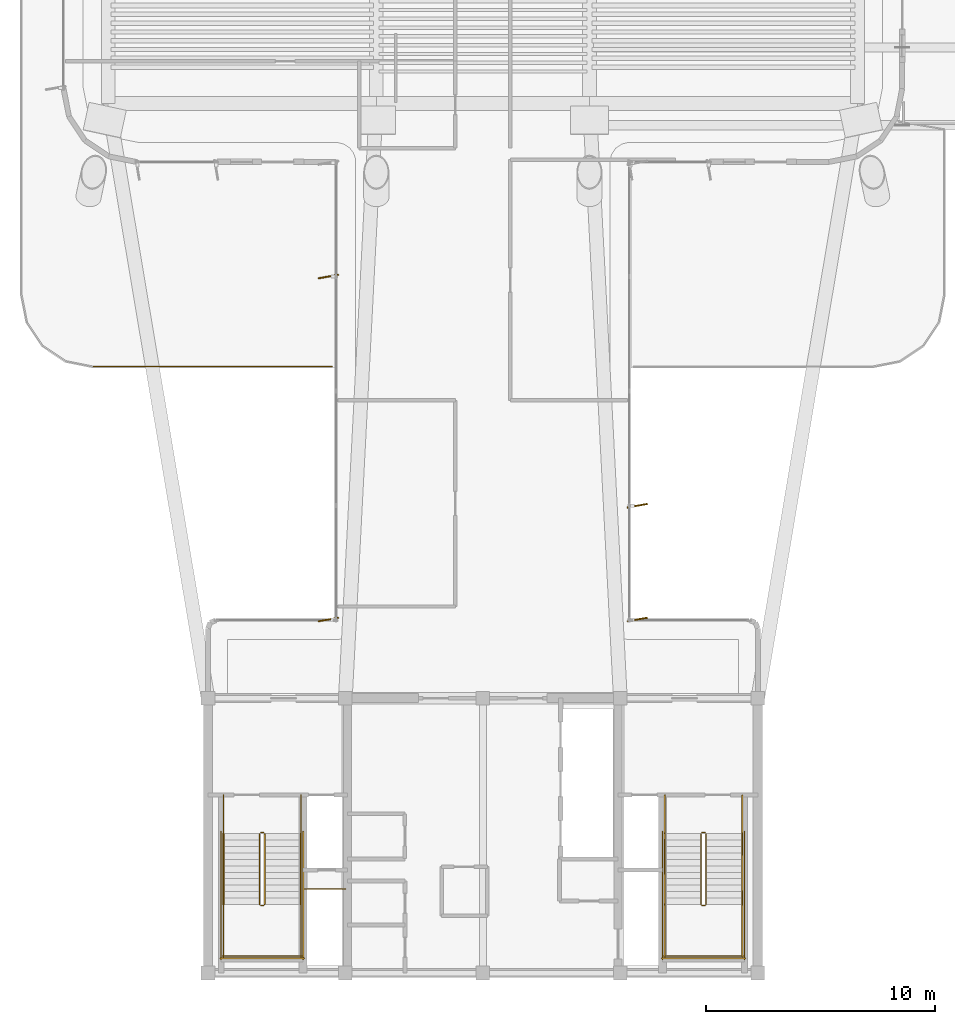
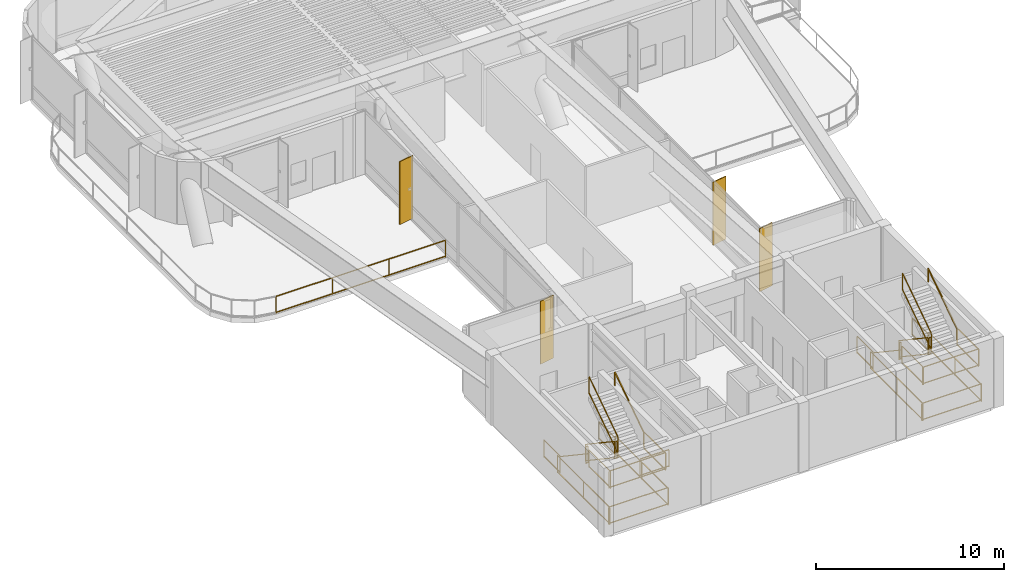
# One storey, part 15 of 16: 30 railings, 4 shading devices.
"""IFC4 building model written with IfcOpenShell, lengths in metres."""

from ifc_helpers import new_model, si_unit, direction, frame, origin, origin_2d, place, context, subcontext, project, spatial, rectangle, extrude, source, transform, mapped, material, layer, layer_set, material_profile, profile_set, type_object, element, save


model = new_model("IFC4")

# Units and contexts
model_context = context("Model", 3, precision=1e-05, world=origin(), true_north=direction((0.0, 1.0)))
body_context = subcontext(model_context, "Body", "Model", "MODEL_VIEW")
ifc_project = project(units=[si_unit("LENGTHUNIT", "METRE"), si_unit("AREAUNIT", "SQUARE_METRE"), si_unit("VOLUMEUNIT", "CUBIC_METRE"), si_unit("PLANEANGLEUNIT", "RADIAN"), si_unit("MASSUNIT", "GRAM", prefix="KILO")], contexts=[model_context])

# Site, building, storey
site_placement = place(None, origin())
site = spatial("IfcSite", under=ifc_project, at=site_placement, CompositionType="ELEMENT")
building_placement = place(site_placement, origin())
building = spatial("IfcBuilding", under=site, at=building_placement, Name="Brelvock Crest Care Tower", CompositionType="ELEMENT")
storey_placement = place(building_placement, frame((0.0, 0.0, 218.52001953125)))
storey = spatial("IfcBuildingStorey", under=building, at=storey_placement, Name="L55", CompositionType="ELEMENT", Elevation=218.52001953125)

# Railings
ifc_material_1 = material(Name="Dark Glass Double Glazed Low-E", Category="glass")
ifc_layer_1 = layer(ifc_material_1, 0.06005859375, Name="RL-BAL1")
ifc_layer_set_1 = layer_set([ifc_layer_1], Name="Dark Glass Double Glazed Low-E")
railing_type_1 = type_object("IfcRailingType", Name="RL-BAL1", PredefinedType="BALUSTRADE", material=ifc_layer_set_1)
railing_1_placement = place(storey_placement, frame((29.419921875, 32.469970703125, 0.00390625)))
element("IfcRailing", 1, at=railing_1_placement, inside=storey, type_object=railing_type_1, Name="L55 Safety Balustrade SLB-TERR-L55-2-2", PredefinedType="BALUSTRADE", context=body_context, shape_type="SweptSolid", body=[
    extrude(rectangle(XDim=0.048095703125, YDim=0.048095703125, at=origin_2d()), frame((-0.001953125, 0.0, 1.09619140625), z_axis=(-1.0, 0.0, 0.0), x_axis=(0.0, -1.0, 0.0)), (0.0, 0.0, 1.0), 10.4091796875),
    extrude(rectangle(XDim=0.048095703125, YDim=0.048095703125, at=origin_2d()), frame((-0.001953125, 0.0, 0.054931640625), z_axis=(-1.0, 0.0, 0.0), x_axis=(0.0, -1.0, 0.0)), (0.0, 0.0, 1.0), 10.4091796875),
    extrude(rectangle(XDim=0.0419921875, YDim=0.0419921875, at=origin_2d()), origin(), (0.0, 0.0, 1.0), 1.070068359375),
    extrude(rectangle(XDim=0.0419921875, YDim=0.0419921875, at=origin_2d()), frame((-3.470947265625, 0.0, 0.0)), (0.0, 0.0, 1.0), 1.070068359375),
    extrude(rectangle(XDim=0.0419921875, YDim=0.0419921875, at=origin_2d()), frame((-6.942138671875, 0.0, 0.0)), (0.0, 0.0, 1.0), 1.070068359375),
    extrude(rectangle(XDim=0.0419921875, YDim=0.0419921875, at=origin_2d()), frame((-10.4130859375, 0.0, 0.0)), (0.0, 0.0, 1.0), 1.070068359375),
])
ifc_material_2 = material(Name="Steel Grade 350", Category="steel")
ifc_layer_2 = layer(ifc_material_2, 0.050048828125, Name="RL-STG1")
ifc_layer_set_2 = layer_set([ifc_layer_2], Name="Steel Grade 350")
railing_type_2 = type_object("IfcRailingType", Name="RL-STG1", PredefinedType="GUARDRAIL", material=ifc_layer_set_2)
railing_2_placement = place(storey_placement, frame((26.260009765625, 12.080078125, 0.1875)))
element("IfcRailing", 2, at=railing_2_placement, inside=storey, type_object=railing_type_2, Name="L55 ST-1 stair guard 1", PredefinedType="GUARDRAIL", context=body_context, shape_type="SweptSolid", body=[
    extrude(rectangle(XDim=0.048095703125, YDim=0.048095703125, at=origin_2d()), frame((0.0, -0.001708984375, 1.116943359375), z_axis=(0.0, -0.830913701846, 0.55640131208), x_axis=(1.0, 0.0, 0.0)), (0.0, 0.0, 1.0), 3.702880859375),
    extrude(rectangle(XDim=0.048095703125, YDim=0.048095703125, at=origin_2d()), frame((0.0, -0.001708984375, 0.05615234375), z_axis=(0.0, -0.830913701846, 0.55640131208), x_axis=(1.0, 0.0, 0.0)), (0.0, 0.0, 1.0), 3.702880859375),
    extrude(rectangle(XDim=0.0419921875, YDim=0.0419921875, at=origin_2d()), origin(), (0.0, 0.0, 1.0), 1.08984375),
    extrude(rectangle(XDim=0.0419921875, YDim=0.0419921875, at=origin_2d()), frame((0.0, -3.080078125, 2.0625)), (0.0, 0.0, 1.0), 1.08984375),
])
railing_3_placement = place(storey_placement, frame((26.31005859375, 8.949951171875, 2.25)))
element("IfcRailing", 3, at=railing_3_placement, inside=storey, type_object=railing_type_2, Name="L55 ST-1 stair guard 2", PredefinedType="GUARDRAIL", context=body_context, shape_type="SweptSolid", body=[
    extrude(rectangle(XDim=0.048095703125, YDim=0.048095703125, at=origin_2d()), frame((0.001953125, 0.0, 1.11572265625), z_axis=(1.0, 0.0, 0.0), x_axis=(0.0, 1.0, 0.0)), (0.0, 0.0, 1.0), 0.115966796875),
    extrude(rectangle(XDim=0.048095703125, YDim=0.048095703125, at=origin_2d()), frame((0.001953125, 0.0, 0.054931640625), z_axis=(1.0, 0.0, 0.0), x_axis=(0.0, 1.0, 0.0)), (0.0, 0.0, 1.0), 0.115966796875),
    extrude(rectangle(XDim=0.0419921875, YDim=0.0419921875, at=origin_2d()), origin(), (0.0, 0.0, 1.0), 1.08984375),
    extrude(rectangle(XDim=0.0419921875, YDim=0.0419921875, at=origin_2d()), frame((0.119873046875, 0.0, 0.0)), (0.0, 0.0, 1.0), 1.08984375),
])
for number, where, name in (
    (4, (24.679931640625, 9.0, 2.25), "L55 ST-1 stair guard 3"),
    (5, (28.06005859375, 9.0, 2.25), "L55 ST-1 stair guard 4"),
):
    element("IfcRailing", number, at=place(storey_placement, frame(where)), inside=storey, type_object=railing_type_2, Name=name, PredefinedType="GUARDRAIL", context=body_context, shape_type="SweptSolid", body=[
        extrude(rectangle(XDim=0.048095703125, YDim=0.048095703125, at=origin_2d()), frame((0.0, -0.001953125, 1.11572265625), z_axis=(0.0, -1.0, 0.0), x_axis=(1.0, 0.0, 0.0)), (0.0, 0.0, 1.0), 2.296142578125),
        extrude(rectangle(XDim=0.048095703125, YDim=0.048095703125, at=origin_2d()), frame((0.0, -0.001953125, 0.054931640625), z_axis=(0.0, -1.0, 0.0), x_axis=(1.0, 0.0, 0.0)), (0.0, 0.0, 1.0), 2.296142578125),
        extrude(rectangle(XDim=0.0419921875, YDim=0.0419921875, at=origin_2d()), origin(), (0.0, 0.0, 1.0), 1.08984375),
        extrude(rectangle(XDim=0.0419921875, YDim=0.0419921875, at=origin_2d()), frame((0.0, -2.300048828125, 0.0)), (0.0, 0.0, 1.0), 1.08984375),
    ])
railing_4_placement = place(storey_placement, frame((24.6298828125, 6.75, 2.25)))
element("IfcRailing", 6, at=railing_4_placement, inside=storey, type_object=railing_type_2, Name="L55 ST-1 stair guard 5", PredefinedType="GUARDRAIL", context=body_context, shape_type="SweptSolid", body=[
    extrude(rectangle(XDim=0.048095703125, YDim=0.048095703125, at=origin_2d()), frame((0.001953125, 0.0, 1.11572265625), z_axis=(1.0, 0.0, 0.0), x_axis=(0.0, 1.0, 0.0)), (0.0, 0.0, 1.0), 3.476318359375),
    extrude(rectangle(XDim=0.048095703125, YDim=0.048095703125, at=origin_2d()), frame((0.001953125, 0.0, 0.054931640625), z_axis=(1.0, 0.0, 0.0), x_axis=(0.0, 1.0, 0.0)), (0.0, 0.0, 1.0), 3.476318359375),
    extrude(rectangle(XDim=0.0419921875, YDim=0.0419921875, at=origin_2d()), origin(), (0.0, 0.0, 1.0), 1.08984375),
    extrude(rectangle(XDim=0.0419921875, YDim=0.0419921875, at=origin_2d()), frame((3.480224609375, 0.0, 0.0)), (0.0, 0.0, 1.0), 1.08984375),
])
railing_5_placement = place(storey_placement, frame((26.47998046875, 9.0, 2.4375)))
element("IfcRailing", 7, at=railing_5_placement, inside=storey, type_object=railing_type_2, Name="L55 ST-1 stair guard 6", PredefinedType="GUARDRAIL", context=body_context, shape_type="SweptSolid", body=[
    extrude(rectangle(XDim=0.048095703125, YDim=0.048095703125, at=origin_2d()), frame((0.0, 0.001708984375, 1.116943359375), z_axis=(0.0, 0.830913701846, 0.55640131208), x_axis=(-1.0, 0.0, 0.0)), (0.0, 0.0, 1.0), 3.702880859375),
    extrude(rectangle(XDim=0.048095703125, YDim=0.048095703125, at=origin_2d()), frame((0.0, 0.001708984375, 0.05615234375), z_axis=(0.0, 0.830913701846, 0.55640131208), x_axis=(-1.0, 0.0, 0.0)), (0.0, 0.0, 1.0), 3.702880859375),
    extrude(rectangle(XDim=0.0419921875, YDim=0.0419921875, at=origin_2d()), origin(), (0.0, 0.0, 1.0), 1.08984375),
    extrude(rectangle(XDim=0.0419921875, YDim=0.0419921875, at=origin_2d()), frame((0.0, 3.080078125, 2.0625)), (0.0, 0.0, 1.0), 1.08984375),
])
railing_6_placement = place(storey_placement, frame((26.31005859375, 12.1298828125, 0.0)))
element("IfcRailing", 8, at=railing_6_placement, inside=storey, type_object=railing_type_2, Name="L55 ST-1 stair guard 7", PredefinedType="GUARDRAIL", context=body_context, shape_type="SweptSolid", body=[
    extrude(rectangle(XDim=0.048095703125, YDim=0.048095703125, at=origin_2d()), frame((0.001953125, 0.0, 1.11572265625), z_axis=(1.0, 0.0, 0.0), x_axis=(0.0, 1.0, 0.0)), (0.0, 0.0, 1.0), 0.115966796875),
    extrude(rectangle(XDim=0.048095703125, YDim=0.048095703125, at=origin_2d()), frame((0.001953125, 0.0, 0.054931640625), z_axis=(1.0, 0.0, 0.0), x_axis=(0.0, 1.0, 0.0)), (0.0, 0.0, 1.0), 0.115966796875),
    extrude(rectangle(XDim=0.0419921875, YDim=0.0419921875, at=origin_2d()), origin(), (0.0, 0.0, 1.0), 1.08984375),
    extrude(rectangle(XDim=0.0419921875, YDim=0.0419921875, at=origin_2d()), frame((0.119873046875, 0.0, 0.0)), (0.0, 0.0, 1.0), 1.08984375),
])
for number, where, name in (
    (9, (24.679931640625, 13.780029296875, 0.0), "L55 ST-1 stair guard 8"),
    (10, (28.06005859375, 13.780029296875, 0.0), "L55 ST-1 stair guard 9"),
):
    element("IfcRailing", number, at=place(storey_placement, frame(where)), inside=storey, type_object=railing_type_2, Name=name, PredefinedType="GUARDRAIL", context=body_context, shape_type="SweptSolid", body=[
        extrude(rectangle(XDim=0.048095703125, YDim=0.048095703125, at=origin_2d()), frame((0.0, -0.001953125, 1.11572265625), z_axis=(0.0, -1.0, 0.0), x_axis=(1.0, 0.0, 0.0)), (0.0, 0.0, 1.0), 1.696044921875),
        extrude(rectangle(XDim=0.048095703125, YDim=0.048095703125, at=origin_2d()), frame((0.0, -0.001953125, 0.054931640625), z_axis=(0.0, -1.0, 0.0), x_axis=(1.0, 0.0, 0.0)), (0.0, 0.0, 1.0), 1.696044921875),
        extrude(rectangle(XDim=0.0419921875, YDim=0.0419921875, at=origin_2d()), origin(), (0.0, 0.0, 1.0), 1.08984375),
        extrude(rectangle(XDim=0.0419921875, YDim=0.0419921875, at=origin_2d()), frame((0.0, -1.699951171875, 0.0)), (0.0, 0.0, 1.0), 1.08984375),
    ])
for number, where, name in (
    (11, (24.580078125, 12.179931640625, 0.0), "L55 ST-1 stair guard 10"),
    (12, (28.159912109375, 12.179931640625, 0.0), "L55 ST-1 stair guard 11"),
):
    element("IfcRailing", number, at=place(storey_placement, frame(where)), inside=storey, type_object=railing_type_2, Name=name, PredefinedType="GUARDRAIL", context=body_context, shape_type="SweptSolid", body=[
        extrude(rectangle(XDim=0.048095703125, YDim=0.048095703125, at=origin_2d()), frame((0.0, -0.001953125, 1.11572265625), z_axis=(0.0, -1.0, 0.0), x_axis=(1.0, 0.0, 0.0)), (0.0, 0.0, 1.0), 5.575927734375),
        extrude(rectangle(XDim=0.048095703125, YDim=0.048095703125, at=origin_2d()), frame((0.0, -0.001953125, 0.054931640625), z_axis=(0.0, -1.0, 0.0), x_axis=(1.0, 0.0, 0.0)), (0.0, 0.0, 1.0), 5.575927734375),
        extrude(rectangle(XDim=0.0419921875, YDim=0.0419921875, at=origin_2d()), origin(), (0.0, 0.0, 1.0), 1.08984375),
        extrude(rectangle(XDim=0.0419921875, YDim=0.0419921875, at=origin_2d()), frame((0.0, -2.7900390625, 0.0)), (0.0, 0.0, 1.0), 1.08984375),
        extrude(rectangle(XDim=0.0419921875, YDim=0.0419921875, at=origin_2d()), frame((0.0, -5.579833984375, 0.0)), (0.0, 0.0, 1.0), 1.08984375),
    ])
railing_7_placement = place(storey_placement, frame((24.530029296875, 6.64990234375, 0.0)))
element("IfcRailing", 13, at=railing_7_placement, inside=storey, type_object=railing_type_2, Name="L55 ST-1 stair guard 12", PredefinedType="GUARDRAIL", context=body_context, shape_type="SweptSolid", body=[
    extrude(rectangle(XDim=0.048095703125, YDim=0.048095703125, at=origin_2d()), frame((0.001953125, 0.0, 1.11572265625), z_axis=(1.0, 0.0, 0.0), x_axis=(0.0, 1.0, 0.0)), (0.0, 0.0, 1.0), 3.676025390625),
    extrude(rectangle(XDim=0.048095703125, YDim=0.048095703125, at=origin_2d()), frame((0.001953125, 0.0, 0.054931640625), z_axis=(1.0, 0.0, 0.0), x_axis=(0.0, 1.0, 0.0)), (0.0, 0.0, 1.0), 3.676025390625),
    extrude(rectangle(XDim=0.0419921875, YDim=0.0419921875, at=origin_2d()), origin(), (0.0, 0.0, 1.0), 1.08984375),
    extrude(rectangle(XDim=0.0419921875, YDim=0.0419921875, at=origin_2d()), frame((3.679931640625, 0.0, 0.0)), (0.0, 0.0, 1.0), 1.08984375),
])
railing_8_placement = place(storey_placement, frame((45.52001953125, 12.080078125, 0.1875)))
element("IfcRailing", 14, at=railing_8_placement, inside=storey, type_object=railing_type_2, Name="L55 ST-2 stair guard 1", PredefinedType="GUARDRAIL", context=body_context, shape_type="SweptSolid", body=[
    extrude(rectangle(XDim=0.048095703125, YDim=0.048095703125, at=origin_2d()), frame((0.0, -0.001708984375, 1.116943359375), z_axis=(0.0, -0.830913701846, 0.55640131208), x_axis=(1.0, 0.0, 0.0)), (0.0, 0.0, 1.0), 3.702880859375),
    extrude(rectangle(XDim=0.048095703125, YDim=0.048095703125, at=origin_2d()), frame((0.0, -0.001708984375, 0.05615234375), z_axis=(0.0, -0.830913701846, 0.55640131208), x_axis=(1.0, 0.0, 0.0)), (0.0, 0.0, 1.0), 3.702880859375),
    extrude(rectangle(XDim=0.0419921875, YDim=0.0419921875, at=origin_2d()), origin(), (0.0, 0.0, 1.0), 1.08984375),
    extrude(rectangle(XDim=0.0419921875, YDim=0.0419921875, at=origin_2d()), frame((0.0, -3.080078125, 2.0625)), (0.0, 0.0, 1.0), 1.08984375),
])
railing_9_placement = place(storey_placement, frame((45.570068359375, 8.949951171875, 2.25)))
element("IfcRailing", 15, at=railing_9_placement, inside=storey, type_object=railing_type_2, Name="L55 ST-2 stair guard 2", PredefinedType="GUARDRAIL", context=body_context, shape_type="SweptSolid", body=[
    extrude(rectangle(XDim=0.048095703125, YDim=0.048095703125, at=origin_2d()), frame((0.001953125, 0.0, 1.11572265625), z_axis=(1.0, 0.0, 0.0), x_axis=(0.0, 1.0, 0.0)), (0.0, 0.0, 1.0), 0.115966796875),
    extrude(rectangle(XDim=0.048095703125, YDim=0.048095703125, at=origin_2d()), frame((0.001953125, 0.0, 0.054931640625), z_axis=(1.0, 0.0, 0.0), x_axis=(0.0, 1.0, 0.0)), (0.0, 0.0, 1.0), 0.115966796875),
    extrude(rectangle(XDim=0.0419921875, YDim=0.0419921875, at=origin_2d()), origin(), (0.0, 0.0, 1.0), 1.08984375),
    extrude(rectangle(XDim=0.0419921875, YDim=0.0419921875, at=origin_2d()), frame((0.119873046875, 0.0, 0.0)), (0.0, 0.0, 1.0), 1.08984375),
])
for number, where, name in (
    (16, (43.93994140625, 9.0, 2.25), "L55 ST-2 stair guard 3"),
    (17, (47.320068359375, 9.0, 2.25), "L55 ST-2 stair guard 4"),
):
    element("IfcRailing", number, at=place(storey_placement, frame(where)), inside=storey, type_object=railing_type_2, Name=name, PredefinedType="GUARDRAIL", context=body_context, shape_type="SweptSolid", body=[
        extrude(rectangle(XDim=0.048095703125, YDim=0.048095703125, at=origin_2d()), frame((0.0, -0.001953125, 1.11572265625), z_axis=(0.0, -1.0, 0.0), x_axis=(1.0, 0.0, 0.0)), (0.0, 0.0, 1.0), 2.296142578125),
        extrude(rectangle(XDim=0.048095703125, YDim=0.048095703125, at=origin_2d()), frame((0.0, -0.001953125, 0.054931640625), z_axis=(0.0, -1.0, 0.0), x_axis=(1.0, 0.0, 0.0)), (0.0, 0.0, 1.0), 2.296142578125),
        extrude(rectangle(XDim=0.0419921875, YDim=0.0419921875, at=origin_2d()), origin(), (0.0, 0.0, 1.0), 1.08984375),
        extrude(rectangle(XDim=0.0419921875, YDim=0.0419921875, at=origin_2d()), frame((0.0, -2.300048828125, 0.0)), (0.0, 0.0, 1.0), 1.08984375),
    ])
railing_10_placement = place(storey_placement, frame((43.889892578125, 6.75, 2.25)))
element("IfcRailing", 18, at=railing_10_placement, inside=storey, type_object=railing_type_2, Name="L55 ST-2 stair guard 5", PredefinedType="GUARDRAIL", context=body_context, shape_type="SweptSolid", body=[
    extrude(rectangle(XDim=0.048095703125, YDim=0.048095703125, at=origin_2d()), frame((0.001953125, 0.0, 1.11572265625), z_axis=(1.0, 0.0, 0.0), x_axis=(0.0, 1.0, 0.0)), (0.0, 0.0, 1.0), 3.476318359375),
    extrude(rectangle(XDim=0.048095703125, YDim=0.048095703125, at=origin_2d()), frame((0.001953125, 0.0, 0.054931640625), z_axis=(1.0, 0.0, 0.0), x_axis=(0.0, 1.0, 0.0)), (0.0, 0.0, 1.0), 3.476318359375),
    extrude(rectangle(XDim=0.0419921875, YDim=0.0419921875, at=origin_2d()), origin(), (0.0, 0.0, 1.0), 1.08984375),
    extrude(rectangle(XDim=0.0419921875, YDim=0.0419921875, at=origin_2d()), frame((3.480224609375, 0.0, 0.0)), (0.0, 0.0, 1.0), 1.08984375),
])
railing_11_placement = place(storey_placement, frame((45.739990234375, 9.0, 2.4375)))
element("IfcRailing", 19, at=railing_11_placement, inside=storey, type_object=railing_type_2, Name="L55 ST-2 stair guard 6", PredefinedType="GUARDRAIL", context=body_context, shape_type="SweptSolid", body=[
    extrude(rectangle(XDim=0.048095703125, YDim=0.048095703125, at=origin_2d()), frame((0.0, 0.001708984375, 1.116943359375), z_axis=(0.0, 0.830913701846, 0.55640131208), x_axis=(-1.0, 0.0, 0.0)), (0.0, 0.0, 1.0), 3.702880859375),
    extrude(rectangle(XDim=0.048095703125, YDim=0.048095703125, at=origin_2d()), frame((0.0, 0.001708984375, 0.05615234375), z_axis=(0.0, 0.830913701846, 0.55640131208), x_axis=(-1.0, 0.0, 0.0)), (0.0, 0.0, 1.0), 3.702880859375),
    extrude(rectangle(XDim=0.0419921875, YDim=0.0419921875, at=origin_2d()), origin(), (0.0, 0.0, 1.0), 1.08984375),
    extrude(rectangle(XDim=0.0419921875, YDim=0.0419921875, at=origin_2d()), frame((0.0, 3.080078125, 2.0625)), (0.0, 0.0, 1.0), 1.08984375),
])
railing_12_placement = place(storey_placement, frame((45.570068359375, 12.1298828125, 0.0)))
element("IfcRailing", 20, at=railing_12_placement, inside=storey, type_object=railing_type_2, Name="L55 ST-2 stair guard 7", PredefinedType="GUARDRAIL", context=body_context, shape_type="SweptSolid", body=[
    extrude(rectangle(XDim=0.048095703125, YDim=0.048095703125, at=origin_2d()), frame((0.001953125, 0.0, 1.11572265625), z_axis=(1.0, 0.0, 0.0), x_axis=(0.0, 1.0, 0.0)), (0.0, 0.0, 1.0), 0.115966796875),
    extrude(rectangle(XDim=0.048095703125, YDim=0.048095703125, at=origin_2d()), frame((0.001953125, 0.0, 0.054931640625), z_axis=(1.0, 0.0, 0.0), x_axis=(0.0, 1.0, 0.0)), (0.0, 0.0, 1.0), 0.115966796875),
    extrude(rectangle(XDim=0.0419921875, YDim=0.0419921875, at=origin_2d()), origin(), (0.0, 0.0, 1.0), 1.08984375),
    extrude(rectangle(XDim=0.0419921875, YDim=0.0419921875, at=origin_2d()), frame((0.119873046875, 0.0, 0.0)), (0.0, 0.0, 1.0), 1.08984375),
])
for number, where, name in (
    (21, (43.93994140625, 13.780029296875, 0.0), "L55 ST-2 stair guard 8"),
    (22, (47.320068359375, 13.780029296875, 0.0), "L55 ST-2 stair guard 9"),
):
    element("IfcRailing", number, at=place(storey_placement, frame(where)), inside=storey, type_object=railing_type_2, Name=name, PredefinedType="GUARDRAIL", context=body_context, shape_type="SweptSolid", body=[
        extrude(rectangle(XDim=0.048095703125, YDim=0.048095703125, at=origin_2d()), frame((0.0, -0.001953125, 1.11572265625), z_axis=(0.0, -1.0, 0.0), x_axis=(1.0, 0.0, 0.0)), (0.0, 0.0, 1.0), 1.696044921875),
        extrude(rectangle(XDim=0.048095703125, YDim=0.048095703125, at=origin_2d()), frame((0.0, -0.001953125, 0.054931640625), z_axis=(0.0, -1.0, 0.0), x_axis=(1.0, 0.0, 0.0)), (0.0, 0.0, 1.0), 1.696044921875),
        extrude(rectangle(XDim=0.0419921875, YDim=0.0419921875, at=origin_2d()), origin(), (0.0, 0.0, 1.0), 1.08984375),
        extrude(rectangle(XDim=0.0419921875, YDim=0.0419921875, at=origin_2d()), frame((0.0, -1.699951171875, 0.0)), (0.0, 0.0, 1.0), 1.08984375),
    ])
for number, where, name in (
    (23, (43.840087890625, 12.179931640625, 0.0), "L55 ST-2 stair guard 10"),
    (24, (47.419921875, 12.179931640625, 0.0), "L55 ST-2 stair guard 11"),
):
    element("IfcRailing", number, at=place(storey_placement, frame(where)), inside=storey, type_object=railing_type_2, Name=name, PredefinedType="GUARDRAIL", context=body_context, shape_type="SweptSolid", body=[
        extrude(rectangle(XDim=0.048095703125, YDim=0.048095703125, at=origin_2d()), frame((0.0, -0.001953125, 1.11572265625), z_axis=(0.0, -1.0, 0.0), x_axis=(1.0, 0.0, 0.0)), (0.0, 0.0, 1.0), 5.575927734375),
        extrude(rectangle(XDim=0.048095703125, YDim=0.048095703125, at=origin_2d()), frame((0.0, -0.001953125, 0.054931640625), z_axis=(0.0, -1.0, 0.0), x_axis=(1.0, 0.0, 0.0)), (0.0, 0.0, 1.0), 5.575927734375),
        extrude(rectangle(XDim=0.0419921875, YDim=0.0419921875, at=origin_2d()), origin(), (0.0, 0.0, 1.0), 1.08984375),
        extrude(rectangle(XDim=0.0419921875, YDim=0.0419921875, at=origin_2d()), frame((0.0, -2.7900390625, 0.0)), (0.0, 0.0, 1.0), 1.08984375),
        extrude(rectangle(XDim=0.0419921875, YDim=0.0419921875, at=origin_2d()), frame((0.0, -5.579833984375, 0.0)), (0.0, 0.0, 1.0), 1.08984375),
    ])
railing_13_placement = place(storey_placement, frame((43.7900390625, 6.64990234375, 0.0)))
element("IfcRailing", 25, at=railing_13_placement, inside=storey, type_object=railing_type_2, Name="L55 ST-2 stair guard 12", PredefinedType="GUARDRAIL", context=body_context, shape_type="SweptSolid", body=[
    extrude(rectangle(XDim=0.048095703125, YDim=0.048095703125, at=origin_2d()), frame((0.001953125, 0.0, 1.11572265625), z_axis=(1.0, 0.0, 0.0), x_axis=(0.0, 1.0, 0.0)), (0.0, 0.0, 1.0), 3.676025390625),
    extrude(rectangle(XDim=0.048095703125, YDim=0.048095703125, at=origin_2d()), frame((0.001953125, 0.0, 0.054931640625), z_axis=(1.0, 0.0, 0.0), x_axis=(0.0, 1.0, 0.0)), (0.0, 0.0, 1.0), 3.676025390625),
    extrude(rectangle(XDim=0.0419921875, YDim=0.0419921875, at=origin_2d()), origin(), (0.0, 0.0, 1.0), 1.08984375),
    extrude(rectangle(XDim=0.0419921875, YDim=0.0419921875, at=origin_2d()), frame((3.679931640625, 0.0, 0.0)), (0.0, 0.0, 1.0), 1.08984375),
])
railing_14_placement = place(storey_placement, frame((28.219970703125, 9.679931640625, 0.0)))
element("IfcRailing", 26, at=railing_14_placement, inside=storey, type_object=railing_type_2, Name="L55 Fire Riser Threshold Guard", PredefinedType="GUARDRAIL", context=body_context, shape_type="SweptSolid", body=[
    extrude(rectangle(XDim=0.048095703125, YDim=0.048095703125, at=origin_2d()), frame((0.001953125, 0.0, 1.11572265625), z_axis=(1.0, 0.0, 0.0), x_axis=(0.0, 1.0, 0.0)), (0.0, 0.0, 1.0), 1.776123046875),
    extrude(rectangle(XDim=0.048095703125, YDim=0.048095703125, at=origin_2d()), frame((0.001953125, 0.0, 0.054931640625), z_axis=(1.0, 0.0, 0.0), x_axis=(0.0, 1.0, 0.0)), (0.0, 0.0, 1.0), 1.776123046875),
    extrude(rectangle(XDim=0.0419921875, YDim=0.0419921875, at=origin_2d()), origin(), (0.0, 0.0, 1.0), 1.08984375),
    extrude(rectangle(XDim=0.0419921875, YDim=0.0419921875, at=origin_2d()), frame((1.780029296875, 0.0, 0.0)), (0.0, 0.0, 1.0), 1.08984375),
])
ifc_layer_3 = layer(ifc_material_2, 0.048095703125, Name="RL-STH1")
ifc_layer_set_3 = layer_set([ifc_layer_3], Name="Steel Grade 350")
railing_type_3 = type_object("IfcRailingType", Name="RL-STH1", PredefinedType="HANDRAIL", material=ifc_layer_set_3)
railing_15_placement = place(storey_placement, frame((24.679931640625, 12.080078125, 0.1875)))
element("IfcRailing", 27, at=railing_15_placement, inside=storey, type_object=railing_type_3, Name="L55 ST-1 stair handrail 1", PredefinedType="HANDRAIL", context=body_context, shape_type="SweptSolid", body=[
    extrude(rectangle(XDim=0.048095703125, YDim=0.048095703125, at=origin_2d()), frame((0.0, -0.001708984375, 0.876953125), z_axis=(0.0, -0.830913701846, 0.55640131208), x_axis=(1.0, 0.0, 0.0)), (0.0, 0.0, 1.0), 3.702880859375),
    extrude(rectangle(XDim=0.0419921875, YDim=0.0419921875, at=origin_2d()), origin(), (0.0, 0.0, 1.0), 0.849853515625),
    extrude(rectangle(XDim=0.0419921875, YDim=0.0419921875, at=origin_2d()), frame((0.0, -3.080078125, 2.0625)), (0.0, 0.0, 1.0), 0.849853515625),
])
railing_16_placement = place(storey_placement, frame((28.06005859375, 9.0, 2.4375)))
element("IfcRailing", 28, at=railing_16_placement, inside=storey, type_object=railing_type_3, Name="L55 ST-1 stair handrail 2", PredefinedType="HANDRAIL", context=body_context, shape_type="SweptSolid", body=[
    extrude(rectangle(XDim=0.048095703125, YDim=0.048095703125, at=origin_2d()), frame((0.0, 0.001708984375, 0.876953125), z_axis=(0.0, 0.830913701846, 0.55640131208), x_axis=(-1.0, 0.0, 0.0)), (0.0, 0.0, 1.0), 3.702880859375),
    extrude(rectangle(XDim=0.0419921875, YDim=0.0419921875, at=origin_2d()), origin(), (0.0, 0.0, 1.0), 0.849853515625),
    extrude(rectangle(XDim=0.0419921875, YDim=0.0419921875, at=origin_2d()), frame((0.0, 3.080078125, 2.0625)), (0.0, 0.0, 1.0), 0.849853515625),
])
railing_17_placement = place(storey_placement, frame((43.93994140625, 12.080078125, 0.1875)))
element("IfcRailing", 29, at=railing_17_placement, inside=storey, type_object=railing_type_3, Name="L55 ST-2 stair handrail 1", PredefinedType="HANDRAIL", context=body_context, shape_type="SweptSolid", body=[
    extrude(rectangle(XDim=0.048095703125, YDim=0.048095703125, at=origin_2d()), frame((0.0, -0.001708984375, 0.876953125), z_axis=(0.0, -0.830913701846, 0.55640131208), x_axis=(1.0, 0.0, 0.0)), (0.0, 0.0, 1.0), 3.702880859375),
    extrude(rectangle(XDim=0.0419921875, YDim=0.0419921875, at=origin_2d()), origin(), (0.0, 0.0, 1.0), 0.849853515625),
    extrude(rectangle(XDim=0.0419921875, YDim=0.0419921875, at=origin_2d()), frame((0.0, -3.080078125, 2.0625)), (0.0, 0.0, 1.0), 0.849853515625),
])
railing_18_placement = place(storey_placement, frame((47.320068359375, 9.0, 2.4375)))
element("IfcRailing", 30, at=railing_18_placement, inside=storey, type_object=railing_type_3, Name="L55 ST-2 stair handrail 2", PredefinedType="HANDRAIL", context=body_context, shape_type="SweptSolid", body=[
    extrude(rectangle(XDim=0.048095703125, YDim=0.048095703125, at=origin_2d()), frame((0.0, 0.001708984375, 0.876953125), z_axis=(0.0, 0.830913701846, 0.55640131208), x_axis=(-1.0, 0.0, 0.0)), (0.0, 0.0, 1.0), 3.702880859375),
    extrude(rectangle(XDim=0.0419921875, YDim=0.0419921875, at=origin_2d()), origin(), (0.0, 0.0, 1.0), 0.849853515625),
    extrude(rectangle(XDim=0.0419921875, YDim=0.0419921875, at=origin_2d()), frame((0.0, 3.080078125, 2.0625)), (0.0, 0.0, 1.0), 0.849853515625),
])

# Shading devices
ifc_material_3 = material(Name="Aluminium 6063-T6", Category="aluminium")
ifc_material_profile = material_profile(ifc_material_3, rectangle(XDim=0.054931640625, YDim=0.89990234375, at=origin_2d()), Name="FIN55x900")
ifc_profile_set = profile_set([ifc_material_profile], Name="Aluminium 6063-T6")
shading_device_type = type_object("IfcShadingDeviceType", Name="SHD-FIN1", PredefinedType="USERDEFINED", material=ifc_profile_set)
shared_shape = source(origin(), body_context, "Body", "SweptSolid", [
    extrude(rectangle(XDim=0.054931640625, YDim=0.89990234375, at=origin_2d()), origin(), (0.0, 0.0, 1.0), 4.092041015625),
])
for number, where, z_axis, x_axis, name in (
    (31, (29.260009765625, 21.4326171875, 0.0), (0.0, 0.0, 1.0), (-0.173648177667, 0.984807753012, 0.0), "L55 Vertical Sunshade Fin E11-01"),
    (32, (29.260009765625, 36.39990234375, 0.0), (0.0, 0.0, 1.0), (-0.173648177667, 0.984807753012, 0.0), "L55 Vertical Sunshade Fin E11-04"),
    (33, (42.739990234375, 26.39990234375, 0.0), (0.0, 0.0, 1.0), (0.173648177667, -0.984807753012, 0.0), "L55 Vertical Sunshade Fin E45-04"),
    (34, (42.739990234375, 21.4326171875, 0.0), (0.0, 0.0, 1.0), (0.173648177667, -0.984807753012, 0.0), "L55 Vertical Sunshade Fin E45-05"),
):
    element("IfcShadingDevice", number, at=place(storey_placement, frame(where, z_axis=z_axis, x_axis=x_axis)), inside=storey, type_object=shading_device_type, Name=name, ObjectType="FIN", PredefinedType="USERDEFINED", context=body_context, shape_type="MappedRepresentation", body=[
        mapped(shared_shape, transform((0.0, 0.0, 0.0), x_axis=(1.0, 0.0, 0.0), y_axis=(0.0, 1.0, 0.0), z_axis=(0.0, 0.0, 1.0), scale=1.0)),
    ])

save(model, "model.ifc")
